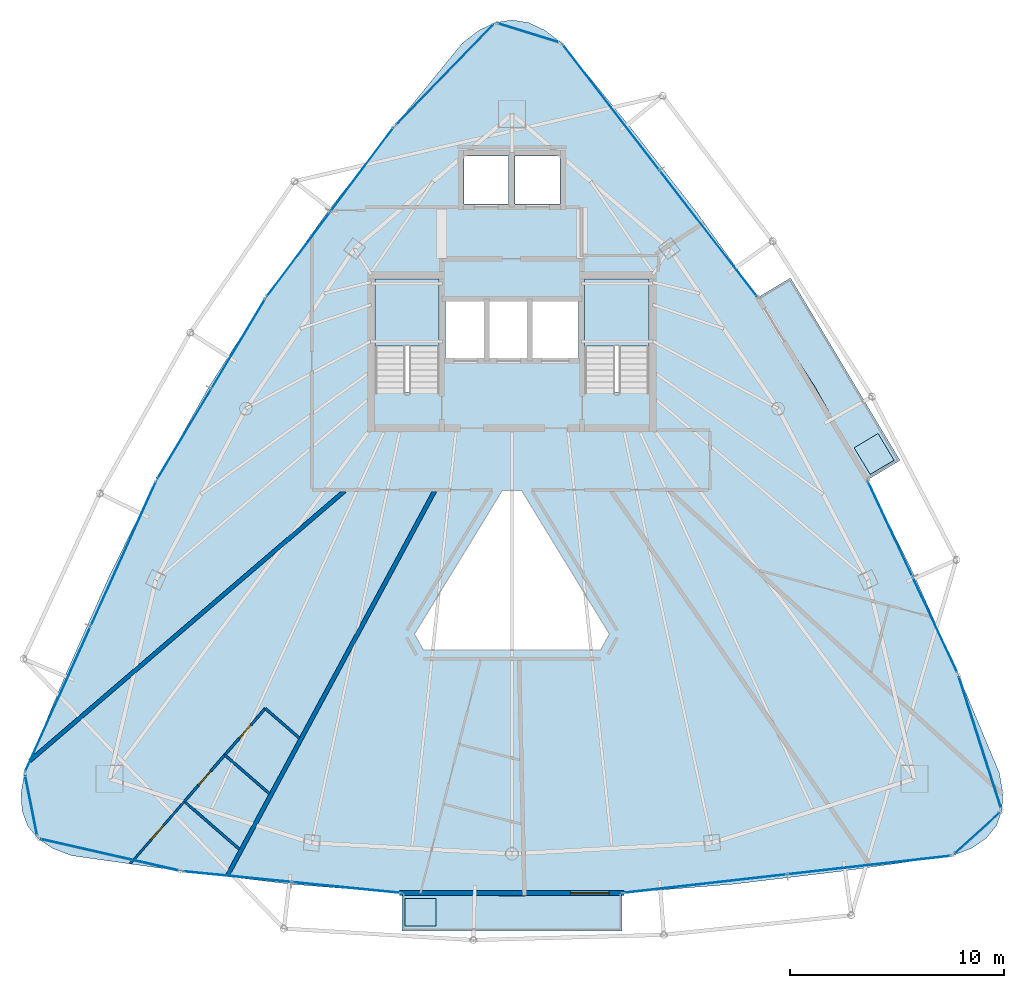
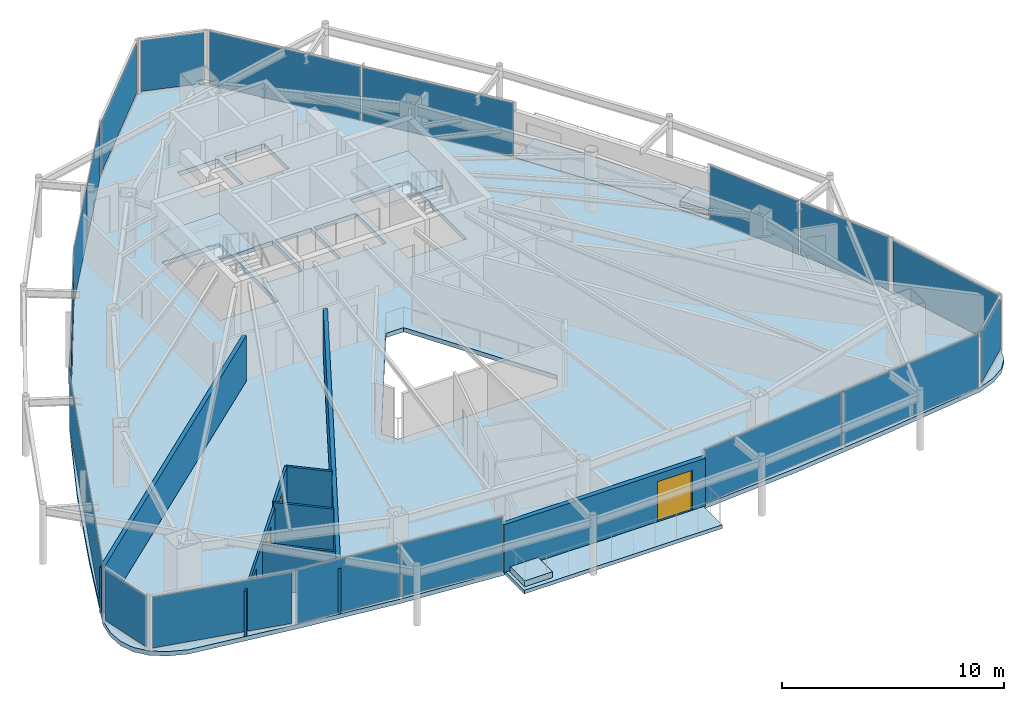
# One storey, part 25 of 30: 20 plates, 9 walls, 7 slabs, 4 doors, 4 openings, 15 elements without a shape of their own.
"""IFC4 building model written with IfcOpenShell, lengths in metres."""

from ifc_helpers import new_model, si_unit, direction, frame, frame_2d, origin, origin_2d, place, context, subcontext, project, spatial, polyline, rectangle, outline, extrude, material, layer, layer_set, type_object, element, fill, aggregate, save


model = new_model("IFC4")

# Units and contexts
model_context = context("Model", 3, precision=1e-05, world=origin(), true_north=direction((0.0, 1.0)))
body_context = subcontext(model_context, "Body", "Model", "MODEL_VIEW")
ifc_project = project(units=[si_unit("LENGTHUNIT", "METRE"), si_unit("AREAUNIT", "SQUARE_METRE"), si_unit("VOLUMEUNIT", "CUBIC_METRE"), si_unit("PLANEANGLEUNIT", "RADIAN"), si_unit("MASSUNIT", "GRAM", prefix="KILO")], contexts=[model_context])

# Site, building, storey
site_placement = place(None, origin())
site = spatial("IfcSite", under=ifc_project, at=site_placement, CompositionType="ELEMENT")
building_placement = place(site_placement, origin())
building = spatial("IfcBuilding", under=site, at=building_placement, Name="Orvanel Arch Residences", CompositionType="ELEMENT")
storey_placement = place(building_placement, frame((0.0, 0.0, 226.10009765625)))
storey = spatial("IfcBuildingStorey", under=building, at=storey_placement, Name="L64", CompositionType="ELEMENT", Elevation=226.10009765625)

# Curtain wall, plates
ifc_material_1 = material(Name="Bronze-anodised aluminium AA6063-T6", Category="aluminium")
ifc_layer_1 = layer(ifc_material_1, 0.175048828125)
ifc_layer_set_1 = layer_set([ifc_layer_1], Name="Bronze-anodised aluminium AA6063-T6")
curtain_wall_type_1 = type_object("IfcCurtainWallType", Name="CW4-HI-SYS", PredefinedType="NOTDEFINED", material=ifc_layer_set_1)
curtain_wall_1_placement = place(storey_placement, origin())
curtain_wall_1 = element("IfcCurtainWall", 1, at=curtain_wall_1_placement, inside=storey, type_object=curtain_wall_type_1, Name="L64 CW4-HI-SYS Unitised Curtain Wall", PredefinedType="NOTDEFINED")
ifc_material_2 = material(Name="Double-glazed solar-control low-E safety glass", Category="glass")
ifc_layer_2 = layer(ifc_material_2, 0.028076171875)
ifc_layer_set_2 = layer_set([ifc_layer_2], Name="Double-glazed solar-control low-E safety glass")
plate_type_1 = type_object("IfcPlateType", Name="PNL-GLZ-28", PredefinedType="CURTAIN_PANEL", material=ifc_layer_set_2)
plate_1_placement = place(storey_placement, frame((25.989990234375, 38.805908203125, 0.059814453125), z_axis=(0.0, 0.0, 1.0), x_axis=(-0.599485313473, -0.800385756327, 0.0)))
plate_1 = element("IfcPlate", 2, at=plate_1_placement, type_object=plate_type_1, Name="CW-S4 panel 1.1", PredefinedType="CURTAIN_PANEL", context=body_context, shape_type="SweptSolid", body=[
    extrude(rectangle(XDim=4.877685546875, YDim=0.028076171875, at=origin_2d()), origin(), (0.0, 0.0, 1.0), 2.93994140625),
])
plate_2_placement = place(storey_placement, frame((23.027099609375, 34.85009765625, 0.059814453125), z_axis=(0.0, 0.0, 1.0), x_axis=(-0.599485313473, -0.800385756327, 0.0)))
plate_2 = element("IfcPlate", 3, at=plate_2_placement, type_object=plate_type_1, Name="CW-S4 panel 2.1", PredefinedType="CURTAIN_PANEL", context=body_context, shape_type="SweptSolid", body=[
    extrude(rectangle(XDim=4.877685546875, YDim=0.028076171875, at=origin_2d()), origin(), (0.0, 0.0, 1.0), 2.93994140625),
])
aggregate(curtain_wall_1, [plate_1, plate_2])

curtain_wall_2_placement = place(storey_placement, origin())
curtain_wall_2 = element("IfcCurtainWall", 4, at=curtain_wall_2_placement, inside=storey, type_object=curtain_wall_type_1, Name="L64 CW4-HI-SYS Unitised Curtain Wall", PredefinedType="NOTDEFINED")
plate_3_placement = place(storey_placement, frame((20.22265625, 30.677001953125, 0.059814453125), z_axis=(0.0, 0.0, 1.0), x_axis=(-0.514436325748, -0.857528580719, 0.0)))
plate_3 = element("IfcPlate", 5, at=plate_3_placement, type_object=plate_type_1, Name="CW-S4 panel 1.1", PredefinedType="CURTAIN_PANEL", context=body_context, shape_type="SweptSolid", body=[
    extrude(rectangle(XDim=4.8515625, YDim=0.028076171875, at=origin_2d()), origin(), (0.0, 0.0, 1.0), 2.93994140625),
])
plate_4_placement = place(storey_placement, frame((17.693359375, 26.4609375, 0.059814453125), z_axis=(0.0, 0.0, 1.0), x_axis=(-0.514436325748, -0.857528580719, 0.0)))
plate_4 = element("IfcPlate", 6, at=plate_4_placement, type_object=plate_type_1, Name="CW-S4 panel 2.1", PredefinedType="CURTAIN_PANEL", context=body_context, shape_type="SweptSolid", body=[
    extrude(rectangle(XDim=4.8515625, YDim=0.028076171875, at=origin_2d()), origin(), (0.0, 0.0, 1.0), 2.93994140625),
])
aggregate(curtain_wall_2, [plate_3, plate_4])

curtain_wall_3_placement = place(storey_placement, origin())
curtain_wall_3 = element("IfcCurtainWall", 7, at=curtain_wall_3_placement, inside=storey, type_object=curtain_wall_type_1, Name="L64 CW4-HI-SYS Unitised Curtain Wall", PredefinedType="NOTDEFINED")
plate_5_placement = place(storey_placement, frame((14.848876953125, 20.864013671875, 0.059814453125), z_axis=(0.0, 0.0, 1.0), x_axis=(-0.411128435335, -0.911577429328, 0.0)))
plate_5 = element("IfcPlate", 8, at=plate_5_placement, type_object=plate_type_1, Name="CW-S4 panel 1.1", PredefinedType="CURTAIN_PANEL", context=body_context, shape_type="SweptSolid", body=[
    extrude(rectangle(XDim=7.38671875, YDim=0.028076171875, at=origin_2d()), origin(), (0.0, 0.0, 1.0), 2.93994140625),
])
plate_6_placement = place(storey_placement, frame((11.78515625, 14.071044921875, 0.059814453125), z_axis=(0.0, 0.0, 1.0), x_axis=(-0.411128435335, -0.911577429328, 0.0)))
plate_6 = element("IfcPlate", 9, at=plate_6_placement, type_object=plate_type_1, Name="CW-S4 panel 2.1", PredefinedType="CURTAIN_PANEL", context=body_context, shape_type="SweptSolid", body=[
    extrude(rectangle(XDim=7.38671875, YDim=0.028076171875, at=origin_2d()), origin(), (0.0, 0.0, 1.0), 2.93994140625),
])
aggregate(curtain_wall_3, [plate_5, plate_6])

curtain_wall_4_placement = place(storey_placement, origin())
curtain_wall_4 = element("IfcCurtainWall", 10, at=curtain_wall_4_placement, inside=storey, type_object=curtain_wall_type_1, Name="L64 CW4-HI-SYS Unitised Curtain Wall", PredefinedType="NOTDEFINED")
plate_7_placement = place(storey_placement, frame((20.16552734375, 5.7763671875, 0.059814453125), z_axis=(0.0, 0.0, 1.0), x_axis=(0.995084182204, -0.099032673027, 0.0)))
plate_7 = element("IfcPlate", 11, at=plate_7_placement, type_object=plate_type_1, Name="CW-S4 panel 1.1", PredefinedType="CURTAIN_PANEL", context=body_context, shape_type="SweptSolid", body=[
    extrude(rectangle(XDim=5.05224609375, YDim=0.028076171875, at=origin_2d()), origin(), (0.0, 0.0, 1.0), 2.93994140625),
])
plate_8_placement = place(storey_placement, frame((25.257568359375, 5.26953125, 0.059814453125), z_axis=(0.0, 0.0, 1.0), x_axis=(0.995084182204, -0.099032673027, 0.0)))
plate_8 = element("IfcPlate", 12, at=plate_8_placement, type_object=plate_type_1, Name="CW-S4 panel 2.1", PredefinedType="CURTAIN_PANEL", context=body_context, shape_type="SweptSolid", body=[
    extrude(rectangle(XDim=5.05224609375, YDim=0.028076171875, at=origin_2d()), origin(), (0.0, 0.0, 1.0), 2.93994140625),
])
aggregate(curtain_wall_4, [plate_7, plate_8])

curtain_wall_5_placement = place(storey_placement, origin())
curtain_wall_5 = element("IfcCurtainWall", 13, at=curtain_wall_5_placement, inside=storey, type_object=curtain_wall_type_1, Name="L64 CW4-HI-SYS Unitised Curtain Wall", PredefinedType="NOTDEFINED")
plate_9_placement = place(storey_placement, frame((42.0283203125, 5.450927734375, 0.059814453125), z_axis=(0.0, 0.0, 1.0), x_axis=(0.993642890196, 0.112578003012, 0.0)))
plate_9 = element("IfcPlate", 14, at=plate_9_placement, type_object=plate_type_1, Name="CW-S4 panel 1.1", PredefinedType="CURTAIN_PANEL", context=body_context, shape_type="SweptSolid", body=[
    extrude(rectangle(XDim=7.648193359375, YDim=0.028076171875, at=origin_2d()), origin(), (0.0, 0.0, 1.0), 2.93994140625),
])
plate_10_placement = place(storey_placement, frame((49.692626953125, 6.319091796875, 0.059814453125), z_axis=(0.0, 0.0, 1.0), x_axis=(0.993642890196, 0.112578003012, 0.0)))
plate_10 = element("IfcPlate", 15, at=plate_10_placement, type_object=plate_type_1, Name="CW-S4 panel 2.1", PredefinedType="CURTAIN_PANEL", context=body_context, shape_type="SweptSolid", body=[
    extrude(rectangle(XDim=7.648193359375, YDim=0.028076171875, at=origin_2d()), origin(), (0.0, 0.0, 1.0), 2.93994140625),
])
aggregate(curtain_wall_5, [plate_9, plate_10])

curtain_wall_6_placement = place(storey_placement, origin())
curtain_wall_6 = element("IfcCurtainWall", 16, at=curtain_wall_6_placement, inside=storey, type_object=curtain_wall_type_1, Name="L64 CW4-HI-SYS Unitised Curtain Wall", PredefinedType="NOTDEFINED")
plate_11_placement = place(storey_placement, frame((52.7626953125, 17.545654296875, 0.059814453125), z_axis=(0.0, 0.0, 1.0), x_axis=(-0.423908533978, 0.905705004304, 0.0)))
plate_11 = element("IfcPlate", 17, at=plate_11_placement, type_object=plate_type_1, Name="CW-S4 panel 1.1", PredefinedType="CURTAIN_PANEL", context=body_context, shape_type="SweptSolid", body=[
    extrude(rectangle(XDim=4.877685546875, YDim=0.028076171875, at=origin_2d()), origin(), (0.0, 0.0, 1.0), 2.93994140625),
])
plate_12_placement = place(storey_placement, frame((50.66748046875, 22.022216796875, 0.059814453125), z_axis=(0.0, 0.0, 1.0), x_axis=(-0.423908533978, 0.905705004304, 0.0)))
plate_12 = element("IfcPlate", 18, at=plate_12_placement, type_object=plate_type_1, Name="CW-S4 panel 2.1", PredefinedType="CURTAIN_PANEL", context=body_context, shape_type="SweptSolid", body=[
    extrude(rectangle(XDim=4.877685546875, YDim=0.028076171875, at=origin_2d()), origin(), (0.0, 0.0, 1.0), 2.93994140625),
])
aggregate(curtain_wall_6, [plate_11, plate_12])

curtain_wall_7_placement = place(storey_placement, origin())
curtain_wall_7 = element("IfcCurtainWall", 19, at=curtain_wall_7_placement, inside=storey, type_object=curtain_wall_type_1, Name="L64 CW4-HI-SYS Unitised Curtain Wall", PredefinedType="NOTDEFINED")
plate_13_placement = place(storey_placement, frame((42.1787109375, 35.82177734375, 0.059814453125), z_axis=(0.0, 0.0, 1.0), x_axis=(-0.610720877294, 0.791845950951, 0.0)))
plate_13 = element("IfcPlate", 20, at=plate_13_placement, type_object=plate_type_1, Name="CW-S4 panel 1.1", PredefinedType="CURTAIN_PANEL", context=body_context, shape_type="SweptSolid", body=[
    extrude(rectangle(XDim=7.38623046875, YDim=0.028076171875, at=origin_2d()), origin(), (0.0, 0.0, 1.0), 2.93994140625),
])
plate_14_placement = place(storey_placement, frame((37.628173828125, 41.72216796875, 0.059814453125), z_axis=(0.0, 0.0, 1.0), x_axis=(-0.610720877294, 0.791845950951, 0.0)))
plate_14 = element("IfcPlate", 21, at=plate_14_placement, type_object=plate_type_1, Name="CW-S4 panel 2.1", PredefinedType="CURTAIN_PANEL", context=body_context, shape_type="SweptSolid", body=[
    extrude(rectangle(XDim=7.38623046875, YDim=0.028076171875, at=origin_2d()), origin(), (0.0, 0.0, 1.0), 2.93994140625),
])
aggregate(curtain_wall_7, [plate_13, plate_14])

# Curtain wall, plate
ifc_layer_3 = layer(ifc_material_1, 0.18994140625)
ifc_layer_set_3 = layer_set([ifc_layer_3], Name="Bronze-anodised aluminium AA6063-T6")
curtain_wall_type_2 = type_object("IfcCurtainWallType", Name="CW5-CRN-SYS", PredefinedType="NOTDEFINED", material=ifc_layer_set_3)
curtain_wall_8_placement = place(storey_placement, origin())
curtain_wall_8 = element("IfcCurtainWall", 22, at=curtain_wall_8_placement, inside=storey, type_object=curtain_wall_type_2, Name="L64 CW5-CRN-SYS Unitised Curtain Wall", PredefinedType="NOTDEFINED")
ifc_layer_4 = layer(ifc_material_2, 0.031982421875)
ifc_layer_set_4 = layer_set([ifc_layer_4], Name="Double-glazed solar-control low-E safety glass")
plate_type_2 = type_object("IfcPlateType", Name="PNL-GLZ-32", PredefinedType="CURTAIN_PANEL", material=ifc_layer_set_4)
plate_15_placement = place(storey_placement, frame((33.77392578125, 45.195556640625, 0.1298828125), z_axis=(0.0, 0.0, 1.0), x_axis=(-0.954835109366, 0.297136187501, 0.0)))
plate_15 = element("IfcPlate", 23, at=plate_15_placement, type_object=plate_type_2, Name="CW-S5 panel 1.1", PredefinedType="CURTAIN_PANEL", context=body_context, shape_type="SweptSolid", body=[
    extrude(rectangle(XDim=2.900634765625, YDim=0.031982421875, at=origin_2d()), origin(), (0.0, 0.0, 1.0), 2.800048828125),
])
aggregate(curtain_wall_8, [plate_15])

curtain_wall_9_placement = place(storey_placement, origin())
curtain_wall_9 = element("IfcCurtainWall", 24, at=curtain_wall_9_placement, inside=storey, type_object=curtain_wall_type_2, Name="L64 CW5-CRN-SYS Unitised Curtain Wall", PredefinedType="NOTDEFINED")
plate_16_placement = place(storey_placement, frame((29.864990234375, 43.25146484375, 0.1298828125), z_axis=(0.0, 0.0, 1.0), x_axis=(-0.697610662802, -0.716477049978, 0.0)))
plate_16 = element("IfcPlate", 25, at=plate_16_placement, type_object=plate_type_2, Name="CW-S5 panel 1.1", PredefinedType="CURTAIN_PANEL", context=body_context, shape_type="SweptSolid", body=[
    extrude(rectangle(XDim=6.431640625, YDim=0.031982421875, at=origin_2d()), origin(), (0.0, 0.0, 1.0), 2.800048828125),
])
aggregate(curtain_wall_9, [plate_16])

curtain_wall_10_placement = place(storey_placement, origin())
curtain_wall_10 = element("IfcCurtainWall", 26, at=curtain_wall_10_placement, inside=storey, type_object=curtain_wall_type_2, Name="L64 CW5-CRN-SYS Unitised Curtain Wall", PredefinedType="NOTDEFINED")
plate_17_placement = place(storey_placement, frame((10.53759765625, 9.096923828125, 0.1298828125), z_axis=(0.0, 0.0, 1.0), x_axis=(0.195803898032, -0.980643071416, 0.0)))
plate_17 = element("IfcPlate", 27, at=plate_17_placement, type_object=plate_type_2, Name="CW-S5 panel 1.1", PredefinedType="CURTAIN_PANEL", context=body_context, shape_type="SweptSolid", body=[
    extrude(rectangle(XDim=2.779541015625, YDim=0.031982421875, at=origin_2d()), origin(), (0.0, 0.0, 1.0), 2.800048828125),
])
aggregate(curtain_wall_10, [plate_17])

curtain_wall_11_placement = place(storey_placement, origin())
curtain_wall_11 = element("IfcCurtainWall", 28, at=curtain_wall_11_placement, inside=storey, type_object=curtain_wall_type_2, Name="L64 CW5-CRN-SYS Unitised Curtain Wall", PredefinedType="NOTDEFINED")
plate_18_placement = place(storey_placement, frame((14.205078125, 6.801025390625, 0.1298828125), z_axis=(0.0, 0.0, 1.0), x_axis=(0.974977866767, -0.222301955264, 0.0)))
plate_18 = element("IfcPlate", 29, at=plate_18_placement, type_object=plate_type_2, Name="CW-S5 panel 1.1", PredefinedType="CURTAIN_PANEL", context=body_context, shape_type="SweptSolid", body=[
    extrude(rectangle(XDim=6.555419921875, YDim=0.031982421875, at=origin_2d()), origin(), (0.0, 0.0, 1.0), 2.800048828125),
])
aggregate(curtain_wall_11, [plate_18])

curtain_wall_12_placement = place(storey_placement, origin())
curtain_wall_12 = element("IfcCurtainWall", 30, at=curtain_wall_12_placement, inside=storey, type_object=curtain_wall_type_2, Name="L64 CW5-CRN-SYS Unitised Curtain Wall", PredefinedType="NOTDEFINED")
plate_19_placement = place(storey_placement, frame((54.73193359375, 7.8076171875, 0.1298828125), z_axis=(0.0, 0.0, 1.0), x_axis=(0.740219127016, 0.672365707037, 0.0)))
plate_19 = element("IfcPlate", 31, at=plate_19_placement, type_object=plate_type_2, Name="CW-S5 panel 1.1", PredefinedType="CURTAIN_PANEL", context=body_context, shape_type="SweptSolid", body=[
    extrude(rectangle(XDim=2.7802734375, YDim=0.031982421875, at=origin_2d()), origin(), (0.0, 0.0, 1.0), 2.800048828125),
])
aggregate(curtain_wall_12, [plate_19])

curtain_wall_13_placement = place(storey_placement, origin())
curtain_wall_13 = element("IfcCurtainWall", 32, at=curtain_wall_13_placement, inside=storey, type_object=curtain_wall_type_2, Name="L64 CW5-CRN-SYS Unitised Curtain Wall", PredefinedType="NOTDEFINED")
plate_20_placement = place(storey_placement, frame((54.859619140625, 12.05810546875, 0.1298828125), z_axis=(0.0, 0.0, 1.0), x_axis=(-0.305573404151, 0.952168522204, 0.0)))
plate_20 = element("IfcPlate", 33, at=plate_20_placement, type_object=plate_type_2, Name="CW-S5 panel 1.1", PredefinedType="CURTAIN_PANEL", context=body_context, shape_type="SweptSolid", body=[
    extrude(rectangle(XDim=6.3857421875, YDim=0.031982421875, at=origin_2d()), origin(), (0.0, 0.0, 1.0), 2.800048828125),
])
aggregate(curtain_wall_13, [plate_20])

# Slabs
ifc_material_3 = material(Name="Concrete N40 (40 MPa)", Category="concrete")
ifc_layer_5 = layer(ifc_material_3, 0.199951171875)
ifc_layer_set_5 = layer_set([ifc_layer_5], Name="Concrete N40 (40 MPa)")
slab_type_1 = type_object("IfcSlabType", Name="SLB-BAL-200", PredefinedType="FLOOR", material=ifc_layer_set_5)
slab_1_placement = place(storey_placement, frame((0.0, 0.0, -0.2001953125)))
element("IfcSlab", 34, at=slab_1_placement, inside=storey, type_object=slab_type_1, Name="L64 Cantilevered Balcony Slab Face 2", PredefinedType="FLOOR", context=body_context, shape_type="SweptSolid", body=[
    extrude(outline(polyline([(27.85595703125, 3.23095703125), (38.14404296875, 3.23095703125), (38.14404296875, 5.010986328125), (33.0, 4.867919921875), (27.85595703125, 5.010986328125), (27.85595703125, 3.23095703125)])), origin(), (0.0, 0.0, 1.0), 0.2001953125),
])
slab_2_placement = place(storey_placement, frame((0.0, 0.0, -0.2001953125)))
element("IfcSlab", 35, at=slab_2_placement, inside=storey, type_object=slab_type_1, Name="L64 Cantilevered Balcony Slab Face 3", PredefinedType="FLOOR", context=body_context, shape_type="SweptSolid", body=[
    extrude(outline(polyline([(51.125, 25.22412109375), (46.012939453125, 33.74609375), (44.486083984375, 32.830078125), (47.166015625, 28.64306640625), (49.597900390625, 24.30810546875), (51.125, 25.22412109375)])), origin(), (0.0, 0.0, 1.0), 0.2001953125),
])

# Stair, slab
ifc_material_4 = material(Name="Precast concrete N50 (50 MPa)", Category="concrete")
stair_type = type_object("IfcStairType", Name="STR-DOG-184", PredefinedType="USERDEFINED", material=ifc_material_4)
stair_1_placement = place(storey_placement, origin())
stair_1 = element("IfcStair", 36, at=stair_1_placement, inside=storey, type_object=stair_type, Name="L64 Fire-Isolated Core Exit Stair 1", ObjectType="TWO_RETURN_STAIR", PredefinedType="USERDEFINED")
ifc_layer_6 = layer(ifc_material_3, 0.199951171875)
ifc_layer_set_6 = layer_set([ifc_layer_6], Name="Concrete N40 (40 MPa)")
slab_type_2 = type_object("IfcSlabType", Name="SLB-LND-200", PredefinedType="LANDING", material=ifc_layer_set_6)
slab_3_placement = place(storey_placement, frame((0.0, 0.0, 1.449951171875)))
slab_3 = element("IfcSlab", 37, at=slab_3_placement, type_object=slab_type_2, Name="ST-1 landing 1", PredefinedType="LANDING", context=body_context, shape_type="SweptSolid", body=[
    extrude(outline(polyline([(29.60009765625, 30.56005859375), (29.60009765625, 33.699951171875), (26.60009765625, 33.699951171875), (26.60009765625, 30.56005859375), (29.60009765625, 30.56005859375)])), origin(), (0.0, 0.0, 1.0), 0.199951171875),
])
aggregate(stair_1, [slab_3])

stair_2_placement = place(storey_placement, origin())
stair_2 = element("IfcStair", 38, at=stair_2_placement, inside=storey, type_object=stair_type, Name="L64 Fire-Isolated Core Exit Stair 2", ObjectType="TWO_RETURN_STAIR", PredefinedType="USERDEFINED")
slab_4_placement = place(storey_placement, frame((0.0, 0.0, 1.449951171875)))
slab_4 = element("IfcSlab", 39, at=slab_4_placement, type_object=slab_type_2, Name="ST-2 landing 1", PredefinedType="LANDING", context=body_context, shape_type="SweptSolid", body=[
    extrude(outline(polyline([(39.39990234375, 30.56005859375), (39.39990234375, 33.699951171875), (36.39990234375, 33.699951171875), (36.39990234375, 30.56005859375), (39.39990234375, 30.56005859375)])), origin(), (0.0, 0.0, 1.0), 0.199951171875),
])
aggregate(stair_2, [slab_4])

# Slabs
ifc_material_5 = material(Name="Structural architectural precast concrete N40 (40 MPa) planter", Category="concrete")
ifc_layer_7 = layer(ifc_material_5, 0.320068359375)
ifc_layer_set_7 = layer_set([ifc_layer_7], Name="Structural architectural precast concrete N40 (40 MPa) planter")
slab_type_3 = type_object("IfcSlabType", Name="SLB-PLN-320", PredefinedType="USERDEFINED", material=ifc_layer_set_7)
slab_5_placement = place(storey_placement, origin())
element("IfcSlab", 40, at=slab_5_placement, inside=storey, type_object=slab_type_3, Name="L64 Balcony TREE PLANTER Face 2", ObjectType="PLANTER", PredefinedType="USERDEFINED", context=body_context, shape_type="SweptSolid", body=[
    extrude(outline(polyline([(28.006103515625, 3.4619140625), (29.4560546875, 3.4619140625), (29.4560546875, 4.760986328125), (28.006103515625, 4.760986328125), (28.006103515625, 3.4619140625)])), origin(), (0.0, 0.0, 1.0), 0.31982421875),
])
slab_6_placement = place(storey_placement, origin())
element("IfcSlab", 41, at=slab_6_placement, inside=storey, type_object=slab_type_3, Name="L64 Balcony TREE PLANTER Face 3", ObjectType="PLANTER", PredefinedType="USERDEFINED", context=body_context, shape_type="SweptSolid", body=[
    extrude(outline(polyline([(50.85009765625, 25.23388671875), (50.10400390625, 26.47802734375), (48.989013671875, 25.80908203125), (49.735107421875, 24.56591796875), (50.85009765625, 25.23388671875)])), origin(), (0.0, 0.0, 1.0), 0.31982421875),
])
ifc_layer_8 = layer(ifc_material_3, 0.239990234375)
ifc_layer_set_8 = layer_set([ifc_layer_8], Name="Concrete N40 (40 MPa)")
slab_type_4 = type_object("IfcSlabType", Name="SLB-TYP-240", PredefinedType="FLOOR", material=ifc_layer_set_8)
slab_7_placement = place(storey_placement, frame((0.0, 0.0, -0.239990234375)))
element("IfcSlab", 42, at=slab_7_placement, inside=storey, type_object=slab_type_4, Name="L64 Tower Floor Slab", PredefinedType="FLOOR", context=body_context, shape_type="SweptSolid", body=[
    extrude(outline(polyline([(35.321044921875, 44.714111328125), (34.547119140625, 45.31591796875), (33.77294921875, 45.677001953125), (33.0, 45.797119140625), (32.22705078125, 45.677001953125), (31.452880859375, 45.31591796875), (30.678955078125, 44.714111328125), (27.5029296875, 40.825927734375), (24.4208984375, 36.8798828125), (21.513916015625, 32.830078125), (18.833984375, 28.64306640625), (16.402099609375, 24.30810546875), (14.197998046875, 19.8369140625), (12.16796875, 15.260009765625), (10.23193359375, 10.626953125), (10.06591796875, 9.681884765625), (10.113037109375, 8.85595703125), (10.37109375, 8.15087890625), (10.843017578125, 7.56689453125), (11.527099609375, 7.10302734375), (12.423095703125, 6.759033203125), (17.56689453125, 6.034912109375), (22.7119140625, 5.4208984375), (27.85595703125, 5.010986328125), (33.0, 4.867919921875), (38.14404296875, 5.010986328125), (43.2880859375, 5.4208984375), (48.43310546875, 6.034912109375), (53.576904296875, 6.759033203125), (54.472900390625, 7.10302734375), (55.156982421875, 7.56689453125), (55.62890625, 8.15087890625), (55.886962890625, 8.85595703125), (55.93408203125, 9.681884765625), (55.76708984375, 10.626953125), (53.83203125, 15.260009765625), (51.802001953125, 19.8369140625), (49.597900390625, 24.30810546875), (47.166015625, 28.64306640625), (44.486083984375, 32.830078125), (41.5791015625, 36.8798828125), (38.4970703125, 40.825927734375), (35.321044921875, 44.714111328125)]), holes=[polyline([(26.60009765625, 28.429931640625), (26.60009765625, 33.699951171875), (29.60009765625, 33.699951171875), (29.60009765625, 28.429931640625), (26.60009765625, 28.429931640625)]), polyline([(36.39990234375, 28.429931640625), (36.39990234375, 33.699951171875), (39.39990234375, 33.699951171875), (39.39990234375, 28.429931640625), (36.39990234375, 28.429931640625)]), polyline([(29.89990234375, 32.64990234375), (31.75, 32.64990234375), (31.75, 29.949951171875), (29.89990234375, 29.949951171875), (29.89990234375, 32.64990234375)]), polyline([(31.89990234375, 32.64990234375), (33.75, 32.64990234375), (33.75, 29.949951171875), (31.89990234375, 29.949951171875), (31.89990234375, 32.64990234375)]), polyline([(33.89990234375, 32.64990234375), (36.10009765625, 32.64990234375), (36.10009765625, 29.949951171875), (33.89990234375, 29.949951171875), (33.89990234375, 32.64990234375)]), polyline([(30.75, 39.449951171875), (32.85009765625, 39.449951171875), (32.85009765625, 37.199951171875), (30.75, 37.199951171875), (30.75, 39.449951171875)]), polyline([(33.14990234375, 39.449951171875), (35.25, 39.449951171875), (35.25, 37.199951171875), (33.14990234375, 37.199951171875), (33.14990234375, 39.449951171875)]), polyline([(37.555908203125, 17.110107421875), (37.132080078125, 16.35498046875), (28.867919921875, 16.35498046875), (28.444091796875, 17.110107421875), (32.5380859375, 23.806884765625), (33.4619140625, 23.806884765625), (37.555908203125, 17.110107421875)])]), origin(), (0.0, 0.0, 1.0), 0.239990234375),
])

# Wall, opening, door
ifc_layer_9 = layer(ifc_material_4, 0.239990234375)
ifc_layer_set_9 = layer_set([ifc_layer_9], Name="Precast concrete N50 (50 MPa)")
wall_type_1 = type_object("IfcWallType", Name="EW-BAL-240", PredefinedType="SOLIDWALL", material=ifc_layer_set_9)
wall_1_placement = place(storey_placement, frame((27.758056640625, 5.010986328125, 0.0), z_axis=(0.0, 0.0, 1.0), x_axis=(1.0, 0.0, 0.0)))
wall_1 = element("IfcWall", 43, at=wall_1_placement, inside=storey, type_object=wall_type_1, Name="L64 Balcony Threshold Wall Face 2", PredefinedType="SOLIDWALL", context=body_context, shape_type="SweptSolid", body=[
    extrude(rectangle(XDim=10.48388671875, YDim=0.239990234375, at=frame_2d((5.241943359375, 0.0))), origin(), (0.0, 0.0, 1.0), 2.6240234375),
])
opening_1_placement = place(wall_1_placement, frame((7.986083984375, 0.0, 0.0)))
opening_1 = element("IfcOpeningElement", 44, at=opening_1_placement, cuts=wall_1, Name="Opening DB-180", PredefinedType="OPENING", context=body_context, shape_type="SweptSolid", body=[
    extrude(rectangle(XDim=1.800048828125, YDim=2.199951171875, at=frame_2d((0.89990234375, 1.10009765625))), frame((0.0, 0.1298828125, 0.0), z_axis=(0.0, -1.0, 0.0), x_axis=(1.0, 0.0, 0.0)), (0.0, 0.0, 1.0), 0.260009765625),
])
door_type_1 = type_object("IfcDoorType", Name="DR-BAL-1800", OperationType="NOTDEFINED", PredefinedType="DOOR", material=ifc_material_1)
door_1_placement = place(opening_1_placement, origin())
door_1 = element("IfcDoor", 45, at=door_1_placement, inside=storey, type_object=door_type_1, Name="DR-L64-BAL-F2 L64 Planted Balcony Access Door Face 2", OperationType="SINGLE_SWING_RIGHT", OverallHeight=2.199951171875, OverallWidth=1.800048828125, PredefinedType="DOOR", context=body_context, shape_type="SweptSolid", body=[
    extrude(rectangle(XDim=1.800048828125, YDim=2.199951171875, at=frame_2d((0.89990234375, 1.10009765625))), frame((0.0, 0.02490234375, 0.0), z_axis=(0.0, -1.0, 0.0), x_axis=(1.0, 0.0, 0.0)), (0.0, 0.0, 1.0), 0.050048828125),
])
fill(opening_1, door_1)

# Walls
ifc_material_6 = material(Name="Fire-rated plasterboard lined steel stud partition", Category="steel")
ifc_layer_10 = layer(ifc_material_6, 0.199951171875)
ifc_layer_set_10 = layer_set([ifc_layer_10], Name="Fire-rated plasterboard lined steel stud partition")
wall_type_2 = type_object("IfcWallType", Name="W-DEM-200", PredefinedType="PARTITIONING", material=ifc_layer_set_10)
wall_2_placement = place(storey_placement, frame((29.385009765625, 23.7900390625, 0.0), z_axis=(0.0, 0.0, 1.0), x_axis=(-0.474361203305, -0.880330306646, 0.0)))
element("IfcWall", 46, at=wall_2_placement, inside=storey, type_object=wall_type_2, Name="L64 Inter-Tenancy Acoustic Demising Wall", PredefinedType="PARTITIONING", context=body_context, shape_type="SweptSolid", body=[
    extrude(rectangle(XDim=20.440185546875, YDim=0.199951171875, at=frame_2d((10.22021484375, 0.0))), origin(), (0.0, 0.0, 1.0), 2.491943359375),
])
wall_3_placement = place(storey_placement, frame((10.47509765625, 11.18994140625, 0.0), z_axis=(0.0, 0.0, 1.0), x_axis=(0.759210311249, 0.650845375871, 0.0)))
element("IfcWall", 47, at=wall_3_placement, inside=storey, type_object=wall_type_2, Name="L64 Inter-Tenancy Acoustic Demising Wall", PredefinedType="PARTITIONING", context=body_context, shape_type="SweptSolid", body=[
    extrude(rectangle(XDim=19.359619140625, YDim=0.199951171875, at=frame_2d((9.6796875, 0.0))), origin(), (0.0, 0.0, 1.0), 2.491943359375),
])

# Wall, opening, door
ifc_material_7 = material(Name="Acoustic plasterboard lined twin-stud partition", Category="gypsum")
ifc_layer_11 = layer(ifc_material_7, 0.10009765625)
ifc_layer_set_11 = layer_set([ifc_layer_11], Name="Acoustic plasterboard lined twin-stud partition")
wall_type_3 = type_object("IfcWallType", Name="W-INT-100", PredefinedType="PARTITIONING", material=ifc_layer_set_11)
wall_4_placement = place(storey_placement, frame((17.697998046875, 9.2900390625, 0.0), z_axis=(0.0, 0.0, 1.0), x_axis=(-0.655874061554, -0.754870330176, 0.0)))
wall_4 = element("IfcWall", 48, at=wall_4_placement, inside=storey, type_object=wall_type_3, Name="L64 Studio B Internal Partition", PredefinedType="PARTITIONING", context=body_context, shape_type="SweptSolid", body=[
    extrude(rectangle(XDim=3.849609375, YDim=0.10009765625, at=frame_2d((1.9248046875, 0.0))), origin(), (0.0, 0.0, 1.0), 2.491943359375),
])
opening_2_placement = place(wall_4_placement, frame((1.485107421875, 0.0, 0.0)))
opening_2 = element("IfcOpeningElement", 49, at=opening_2_placement, cuts=wall_4, Name="Opening DI-088", PredefinedType="OPENING", context=body_context, shape_type="SweptSolid", body=[
    extrude(rectangle(XDim=0.8798828125, YDim=2.10009765625, at=frame_2d((0.43994140625, 1.050048828125))), frame((0.0, 0.06005859375, 0.0), z_axis=(0.0, -1.0, 0.0), x_axis=(1.0, 0.0, 0.0)), (0.0, 0.0, 1.0), 0.1201171875),
])
ifc_material_8 = material(Name="Solid-core European oak veneer fire door leaf", Category="wood")
door_type_2 = type_object("IfcDoorType", Name="DR-INT-880", OperationType="NOTDEFINED", PredefinedType="DOOR", material=ifc_material_8)
door_2_placement = place(opening_2_placement, origin())
door_2 = element("IfcDoor", 50, at=door_2_placement, inside=storey, type_object=door_type_2, Name="DR-L64-B-OFC1 L64 Studio B Home Work Office 1 Door", OperationType="SINGLE_SWING_LEFT", OverallHeight=2.10009765625, OverallWidth=0.8798828125, PredefinedType="DOOR", context=body_context, shape_type="SweptSolid", body=[
    extrude(rectangle(XDim=0.8798828125, YDim=2.10009765625, at=frame_2d((0.43994140625, 1.050048828125))), frame((0.0, 0.02490234375, 0.0), z_axis=(0.0, -1.0, 0.0), x_axis=(1.0, 0.0, 0.0)), (0.0, 0.0, 1.0), 0.050048828125),
])
fill(opening_2, door_2)

# Wall
ifc_layer_12 = layer(ifc_material_7, 0.1201171875)
ifc_layer_set_12 = layer_set([ifc_layer_12], Name="Acoustic plasterboard lined twin-stud partition")
wall_type_4 = type_object("IfcWallType", Name="W-WET-120", PredefinedType="PARTITIONING", material=ifc_layer_set_12)
wall_5_placement = place(storey_placement, frame((23.070068359375, 12.2490234375, 0.0), z_axis=(0.0, 0.0, 1.0), x_axis=(-0.75504514731, 0.655672803709, 0.0)))
element("IfcWall", 51, at=wall_5_placement, inside=storey, type_object=wall_type_4, Name="L64 Studio B Bathroom Partition", PredefinedType="PARTITIONING", context=body_context, shape_type="SweptSolid", body=[
    extrude(rectangle(XDim=2.115234375, YDim=0.1201171875, at=frame_2d((1.0576171875, 0.0))), origin(), (0.0, 0.0, 1.0), 2.77294921875),
])

# Wall, opening, door
wall_6_placement = place(storey_placement, frame((21.472900390625, 13.635986328125, 0.0), z_axis=(0.0, 0.0, 1.0), x_axis=(-0.655840593364, -0.754899407932, 0.0)))
wall_6 = element("IfcWall", 52, at=wall_6_placement, inside=storey, type_object=wall_type_4, Name="L64 Studio B Bathroom Partition", PredefinedType="PARTITIONING", context=body_context, shape_type="SweptSolid", body=[
    extrude(rectangle(XDim=2.878662109375, YDim=0.1201171875, at=frame_2d((1.439453125, 0.0))), origin(), (0.0, 0.0, 1.0), 2.77294921875),
])
opening_3_placement = place(wall_6_placement, frame((1.029052734375, 0.0, 0.0)))
opening_3 = element("IfcOpeningElement", 53, at=opening_3_placement, cuts=wall_6, Name="Opening DW-082", PredefinedType="OPENING", context=body_context, shape_type="SweptSolid", body=[
    extrude(rectangle(XDim=0.820068359375, YDim=2.10009765625, at=frame_2d((0.41015625, 1.050048828125))), frame((0.0, 0.070068359375, 0.0), z_axis=(0.0, -1.0, 0.0), x_axis=(1.0, 0.0, 0.0)), (0.0, 0.0, 1.0), 0.14013671875),
])
door_type_3 = type_object("IfcDoorType", Name="DR-WET-820", OperationType="NOTDEFINED", PredefinedType="DOOR", material=ifc_material_8)
door_3_placement = place(opening_3_placement, origin())
door_3 = element("IfcDoor", 54, at=door_3_placement, inside=storey, type_object=door_type_3, Name="DR-L64-B-BATH L64 Studio B Bathroom Door", OperationType="SINGLE_SWING_RIGHT", OverallHeight=2.10009765625, OverallWidth=0.820068359375, PredefinedType="DOOR", context=body_context, shape_type="SweptSolid", body=[
    extrude(rectangle(XDim=0.820068359375, YDim=2.10009765625, at=frame_2d((0.41015625, 1.050048828125))), frame((0.0, 0.02490234375, 0.0), z_axis=(0.0, -1.0, 0.0), x_axis=(1.0, 0.0, 0.0)), (0.0, 0.0, 1.0), 0.050048828125),
])
fill(opening_3, door_3)

wall_7_placement = place(storey_placement, frame((19.5849609375, 11.462890625, 0.0), z_axis=(0.0, 0.0, 1.0), x_axis=(-0.655689200825, -0.755030907924, 0.0)))
wall_7 = element("IfcWall", 55, at=wall_7_placement, inside=storey, type_object=wall_type_4, Name="L64 Studio B Internal Partition", PredefinedType="PARTITIONING", context=body_context, shape_type="SweptSolid", body=[
    extrude(rectangle(XDim=2.8779296875, YDim=0.1201171875, at=frame_2d((1.43896484375, 0.0))), origin(), (0.0, 0.0, 1.0), 2.491943359375),
])
opening_4_placement = place(wall_7_placement, frame((0.9990234375, 0.0, 0.0)))
opening_4 = element("IfcOpeningElement", 56, at=opening_4_placement, cuts=wall_7, Name="Opening DI-088", PredefinedType="OPENING", context=body_context, shape_type="SweptSolid", body=[
    extrude(rectangle(XDim=0.8798828125, YDim=2.10009765625, at=frame_2d((0.43994140625, 1.050048828125))), frame((0.0, 0.070068359375, 0.0), z_axis=(0.0, -1.0, 0.0), x_axis=(1.0, 0.0, 0.0)), (0.0, 0.0, 1.0), 0.14013671875),
])
door_4_placement = place(opening_4_placement, origin())
door_4 = element("IfcDoor", 57, at=door_4_placement, inside=storey, type_object=door_type_2, Name="DR-L64-B-KIT L64 Studio B Kitchenette Door", OperationType="SINGLE_SWING_LEFT", OverallHeight=2.10009765625, OverallWidth=0.8798828125, PredefinedType="DOOR", context=body_context, shape_type="SweptSolid", body=[
    extrude(rectangle(XDim=0.8798828125, YDim=2.10009765625, at=frame_2d((0.43994140625, 1.050048828125))), frame((0.0, 0.02490234375, 0.0), z_axis=(0.0, -1.0, 0.0), x_axis=(1.0, 0.0, 0.0)), (0.0, 0.0, 1.0), 0.050048828125),
])
fill(opening_4, door_4)

# Walls
wall_8_placement = place(storey_placement, frame((21.669921875, 9.652099609375, 0.0), z_axis=(0.0, 0.0, 1.0), x_axis=(-0.755003171317, 0.655721138367, 0.0)))
element("IfcWall", 58, at=wall_8_placement, inside=storey, type_object=wall_type_4, Name="L64 Studio B Bathroom Partition", PredefinedType="PARTITIONING", context=body_context, shape_type="SweptSolid", body=[
    extrude(rectangle(XDim=2.761474609375, YDim=0.1201171875, at=frame_2d((1.380859375, 0.0))), origin(), (0.0, 0.0, 1.0), 2.77294921875),
])
wall_9_placement = place(storey_placement, frame((20.27099609375, 7.054931640625, 0.0), z_axis=(0.0, 0.0, 1.0), x_axis=(-0.754936987289, 0.65579733548, 0.0)))
element("IfcWall", 59, at=wall_9_placement, inside=storey, type_object=wall_type_4, Name="L64 Studio B Internal Partition", PredefinedType="PARTITIONING", context=body_context, shape_type="SweptSolid", body=[
    extrude(rectangle(XDim=3.408203125, YDim=0.1201171875, at=frame_2d((1.7041015625, 0.0))), origin(), (0.0, 0.0, 1.0), 2.491943359375),
])

save(model, "model.ifc")
